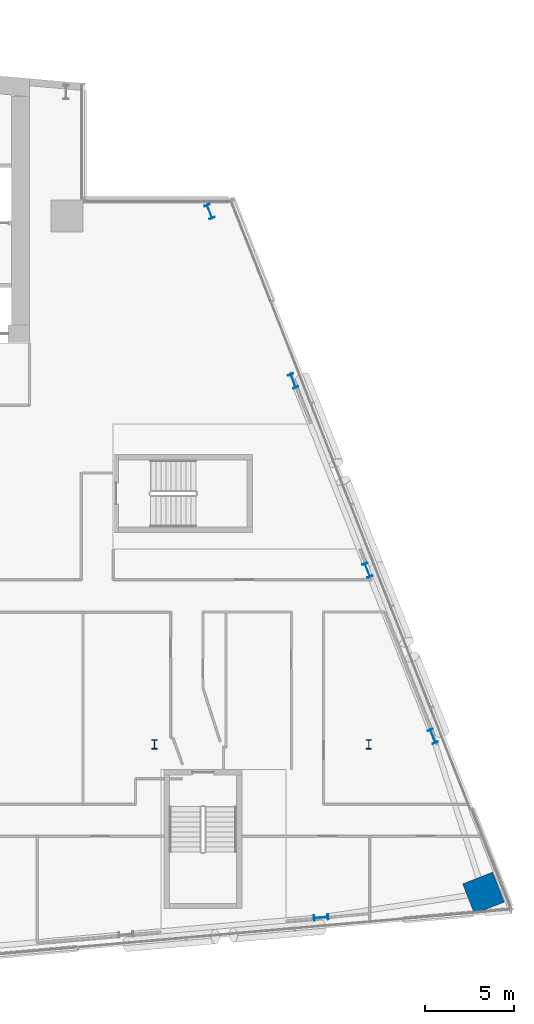
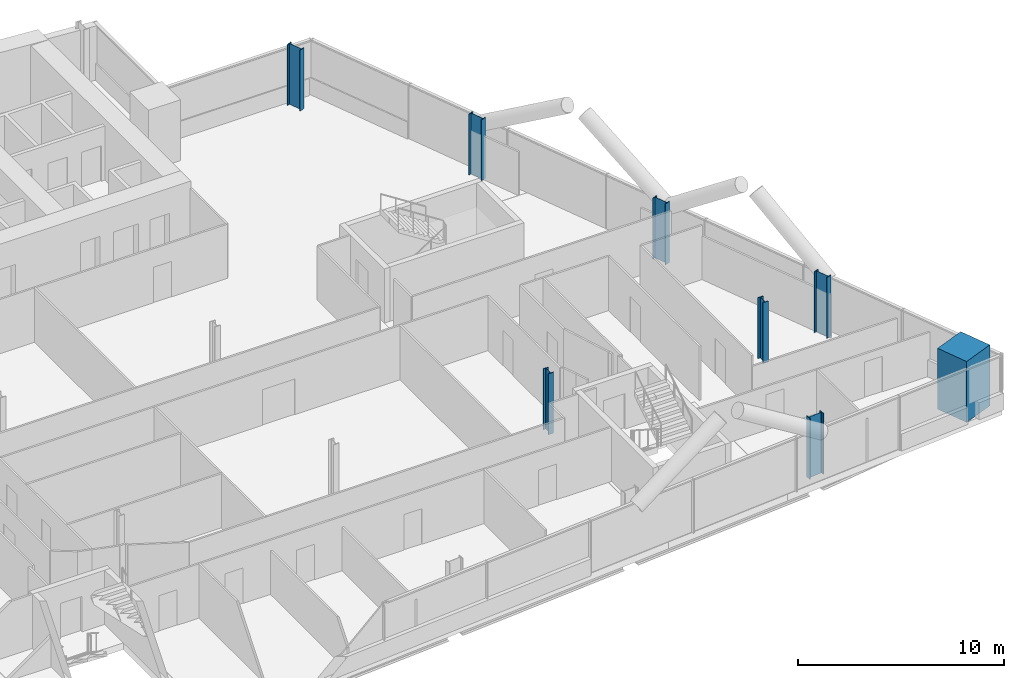
# One storey, part 4 of 27: 8 columns.
"""IFC4 building model written with IfcOpenShell, lengths in metres."""

import ifcopenshell
import ifcopenshell.guid

model = None  # the IFC model being written
_history = None  # IfcOwnerHistory: only IFC2X3 demands one
_inside = {}  # id of a spatial element -> (the spatial element, [elements in it])
_under = {}  # id of a project, library or spatial element -> (it, [spatial elements below it])
_declared = {}  # id of a project -> (the project, [libraries it declares])
_typed = {}  # id of a type object -> (the type object, [elements of that type])
_made_of = {}  # id of a material, layer set ... -> (it, [elements and type objects made of it])


def new_model(schema):
    """Start an empty IFC model of exactly this schema.

    Asked for "IFC4X3", IfcOpenShell would pick the latest addendum, in which some entities
    have other attributes; the version numbers below select the first issue.
    IFC2X3 requires an IfcOwnerHistory on every rooted entity: one is made here for all.
    """
    global model, _history
    if schema == "IFC4X3":
        model = ifcopenshell.file(schema_version=(4, 3, 0, 0))
    else:
        model = ifcopenshell.file(schema=schema)
    _inside.clear()
    _under.clear()
    _declared.clear()
    _typed.clear()
    _made_of.clear()
    _history = None
    if model.schema == "IFC2X3":
        org = make("IfcOrganization", Name="unknown")
        user = make(
            "IfcPersonAndOrganization",
            ThePerson=make("IfcPerson", FamilyName="unknown"),
            TheOrganization=org,
        )
        app = make(
            "IfcApplication",
            ApplicationDeveloper=org,
            Version="unknown",
            ApplicationFullName="unknown",
            ApplicationIdentifier="unknown",
        )
        _history = make(
            "IfcOwnerHistory",
            OwningUser=user,
            OwningApplication=app,
            ChangeAction="ADDED",
            CreationDate=0,
        )
    return model


def make(cls, **values):
    """One entity of the class cls with the attributes given. An attribute that is None is left unset."""
    return model.create_entity(
        cls, **{name: value for name, value in values.items() if value is not None}
    )


def rooted(cls, **values):
    """An entity with a GlobalId (a new one), such as an element, a storey or a relation."""
    return make(cls, GlobalId=ifcopenshell.guid.new(), OwnerHistory=_history, **values)


def si_unit(unit_type, name, prefix=None):
    """IfcSIUnit, for example si_unit("LENGTHUNIT", "METRE", prefix="MILLI")."""
    return make("IfcSIUnit", UnitType=unit_type, Prefix=prefix, Name=name)


def assignment(units):
    """IfcUnitAssignment: the units of a project."""
    return None if units is None else make("IfcUnitAssignment", Units=units)


def point(xyz):
    """IfcCartesianPoint."""
    return None if xyz is None else make("IfcCartesianPoint", Coordinates=xyz)


def direction(xyz):
    """IfcDirection."""
    return None if xyz is None else make("IfcDirection", DirectionRatios=xyz)


def frame(location, z_axis=None, x_axis=None):
    """IfcAxis2Placement3D, a coordinate frame: its origin and axes. An axis left out is left unset."""
    return make(
        "IfcAxis2Placement3D",
        Location=point(location),
        Axis=direction(z_axis),
        RefDirection=direction(x_axis),
    )


def frame_2d(location, x_axis=None):
    """IfcAxis2Placement2D, a coordinate frame in the plane: its origin and x axis."""
    return make(
        "IfcAxis2Placement2D", Location=point(location), RefDirection=direction(x_axis)
    )


def origin():
    """The frame at (0, 0, 0) with its axes left unset."""
    return frame((0.0, 0.0, 0.0))


def origin_2d():
    """The frame at (0, 0) in the plane with its x axis left unset."""
    return frame_2d((0.0, 0.0))


def place(relative_to, where):
    """IfcLocalPlacement: puts the frame where relative to a parent placement (None: the world)."""
    return make(
        "IfcLocalPlacement", PlacementRelTo=relative_to, RelativePlacement=where
    )


def context(
    kind, dimensions, precision=None, world=None, true_north=None, identifier=None
):
    """IfcGeometricRepresentationContext, for example the 3D "Model" context."""
    return make(
        "IfcGeometricRepresentationContext",
        ContextIdentifier=identifier,
        ContextType=kind,
        CoordinateSpaceDimension=dimensions,
        Precision=precision,
        WorldCoordinateSystem=world,
        TrueNorth=true_north,
    )


def subcontext(parent, identifier, kind, view, scale=None):
    """IfcGeometricRepresentationSubContext, for example "Body" below "Model"."""
    return make(
        "IfcGeometricRepresentationSubContext",
        ContextIdentifier=identifier,
        ContextType=kind,
        ParentContext=parent,
        TargetScale=scale,
        TargetView=view,
    )


def project(units=None, contexts=None):
    """IfcProject with its units and contexts."""
    return rooted(
        "IfcProject",
        Name="project",
        RepresentationContexts=contexts,
        UnitsInContext=assignment(units),
    )


def spatial(cls, under=None, at=None, **own):
    """A site, building, storey or space (cls), placed at a placement, below another one or the project."""
    s = rooted(cls, ObjectPlacement=at, **own)
    if under is not None:
        _under.setdefault(under.id(), (under, []))[1].append(s)
    return s


def profile(cls, at=None, kind="AREA", **sizes):
    """A parametric profile (cls). Its sizes go by their IFC names, for example OverallWidth=200.0."""
    return make(cls, ProfileType=kind, Position=at, **sizes)


def rectangle(**sizes):
    """IfcRectangleProfileDef."""
    return profile("IfcRectangleProfileDef", **sizes)


def i_section(**sizes):
    """IfcIShapeProfileDef."""
    return profile("IfcIShapeProfileDef", **sizes)


def extrude(swept, where, along, depth):
    """IfcExtrudedAreaSolid: the profile swept, set in the frame where, extruded along a direction by depth."""
    return make(
        "IfcExtrudedAreaSolid",
        SweptArea=swept,
        Position=where,
        ExtrudedDirection=direction(along),
        Depth=depth,
    )


def shape(context_of_items, identifier, shape_type, items):
    """IfcShapeRepresentation: the items that make up one representation, for example the "Body"."""
    return make(
        "IfcShapeRepresentation",
        ContextOfItems=context_of_items,
        RepresentationIdentifier=identifier,
        RepresentationType=shape_type,
        Items=items,
    )


def material(Name=None, Category=None):
    """IfcMaterial."""
    return make("IfcMaterial", Name=Name, Category=Category)


def material_profile(
    of_material, cross_section, Name=None, Category=None, Priority=None
):
    """IfcMaterialProfile: a cross section and its material."""
    return make(
        "IfcMaterialProfile",
        Name=Name,
        Material=of_material,
        Profile=cross_section,
        Priority=Priority,
        Category=Category,
    )


def profile_set(profiles, Name=None, composite=None):
    """IfcMaterialProfileSet."""
    return make(
        "IfcMaterialProfileSet",
        Name=Name,
        MaterialProfiles=profiles,
        CompositeProfile=composite,
    )


def made_of(thing, what):
    """Note that an element or type object is made of a material, layer set ...; save() writes the relation."""
    if what is not None:
        _made_of.setdefault(what.id(), (what, []))[1].append(thing)
    return thing


def type_object(cls, material=None, **own):
    """A type object (cls), such as IfcWallType, which elements share."""
    return made_of(rooted(cls, **own), material)


def element(
    cls,
    number,
    at=None,
    inside=None,
    cuts=None,
    type_object=None,
    material=None,
    context=None,
    identifier="Body",
    shape_type=None,
    held_by="IfcProductDefinitionShape",
    body=None,
    shapes=None,
    **own,
):
    """One element of the class cls, such as IfcWall. Its Tag is "e" and its number.

    at: its placement. inside: the storey or other place that contains it. cuts: it is an
    opening in that element (IfcRelVoidsElement). A single representation is given by context,
    identifier, shape_type and body (its items); several are given by shapes. held_by: the class
    of the entity that holds the representations. save() writes the other relations.
    """
    e = rooted(cls, Tag="e%d" % number, ObjectPlacement=at, **own)
    if body is not None:
        shapes = [shape(context, identifier, shape_type, body)]
    if shapes is not None:
        e.Representation = make(held_by, Representations=shapes)
    if inside is not None:
        _inside.setdefault(inside.id(), (inside, []))[1].append(e)
    if cuts is not None:
        rooted(
            "IfcRelVoidsElement", RelatingBuildingElement=cuts, RelatedOpeningElement=e
        )
    if type_object is not None:
        _typed.setdefault(type_object.id(), (type_object, []))[1].append(e)
    return made_of(e, material)


def aggregate(whole, parts):
    """IfcRelAggregates: a whole, such as a stair, and the parts it consists of."""
    return rooted("IfcRelAggregates", RelatingObject=whole, RelatedObjects=parts)


def save(model, path):
    """Write the relations noted so far, then the file.

    IfcRelAggregates (storeys below a building ...), IfcRelContainedInSpatialStructure (elements
    in a storey), IfcRelDefinesByType, IfcRelAssociatesMaterial and IfcRelDeclares: one each for
    every whole, place, type object, material and project.
    """
    for whole, parts in _under.values():
        aggregate(whole, parts)
    for where, things in _inside.values():
        rooted(
            "IfcRelContainedInSpatialStructure",
            RelatedElements=things,
            RelatingStructure=where,
        )
    for kind, things in _typed.values():
        rooted("IfcRelDefinesByType", RelatedObjects=things, RelatingType=kind)
    for what, things in _made_of.values():
        rooted("IfcRelAssociatesMaterial", RelatedObjects=things, RelatingMaterial=what)
    for by, libraries in _declared.values():
        rooted("IfcRelDeclares", RelatingContext=by, RelatedDefinitions=libraries)
    model.write(path)


model = new_model("IFC4")

# Units and contexts
model_context = context("Model", 3, precision=1e-05, world=origin(), true_north=direction((0.0, 1.0)))
body_context = subcontext(model_context, "Body", "Model", "MODEL_VIEW")
ifc_project = project(units=[si_unit("LENGTHUNIT", "METRE"), si_unit("AREAUNIT", "SQUARE_METRE"), si_unit("VOLUMEUNIT", "CUBIC_METRE"), si_unit("PLANEANGLEUNIT", "RADIAN"), si_unit("MASSUNIT", "GRAM", prefix="KILO")], contexts=[model_context])

# Site, building, storey
site_placement = place(None, origin())
site = spatial("IfcSite", under=ifc_project, at=site_placement, CompositionType="ELEMENT")
building_placement = place(site_placement, origin())
building = spatial("IfcBuilding", under=site, at=building_placement, Name="Wharfspan Tower", CompositionType="ELEMENT")
storey_placement = place(building_placement, frame((0.0, 0.0, 136.300049)))
storey = spatial("IfcBuildingStorey", under=building, at=storey_placement, Name="L32", CompositionType="ELEMENT", Elevation=136.300049)

# Columns
ifc_material_1 = material(Name="Steel S355J2", Category="steel")
ifc_material_profile_1 = material_profile(ifc_material_1, i_section(OverallWidth=0.305908, OverallDepth=0.523926, WebThickness=0.020996, FlangeThickness=0.040039, FilletRadius=0.0271, at=origin_2d()))
ifc_profile_set_1 = profile_set([ifc_material_profile_1], Name="Steel S355J2")
column_type_1 = type_object("IfcColumnType", Name="Column HEM 500", PredefinedType="COLUMN", material=ifc_profile_set_1)
for number, where, z_axis, x_axis, name in (
    (1, (72.0, 11.5, 0.0), (0.0, 0.0, 1.0), (1.0, 0.0, 0.0), "Interior column I.1.6 L32"),
    (2, (84.0, 11.5, 0.0), (0.0, 0.0, 1.0), (1.0, 0.0, 0.0), "Interior column I.1.7 L32"),
):
    element("IfcColumn", number, at=place(storey_placement, frame(where, z_axis=z_axis, x_axis=x_axis)), inside=storey, type_object=column_type_1, Name=name, PredefinedType="COLUMN", context=body_context, shape_type="SweptSolid", body=[
        extrude(i_section(OverallWidth=0.305908, OverallDepth=0.523926, WebThickness=0.020996, FlangeThickness=0.040039, FilletRadius=0.0271, at=origin_2d()), origin(), (0.0, 0.0, 1.0), 3.599854),
    ])
ifc_material_profile_2 = material_profile(ifc_material_1, i_section(OverallWidth=0.302979, OverallDepth=0.813965, WebThickness=0.020996, FlangeThickness=0.040039, FilletRadius=0.030029, at=origin_2d()))
ifc_profile_set_2 = profile_set([ifc_material_profile_2], Name="Steel S355J2")
column_type_2 = type_object("IfcColumnType", Name="Column HEM 800", PredefinedType="COLUMN", material=ifc_profile_set_2)
for number, where, z_axis, x_axis, name in (
    (3, (81.327881, 1.80835, 0.0), (0.0, 0.0, 1.0), (0.087156, -0.996198, 0.0), "Perimeter column PS2.3 L32"),
    (4, (87.586914, 11.952393, 0.0), (0.0, 0.0, 1.0), (0.930702, 0.365778, 0.0), "Perimeter column PE.1 L32"),
    (5, (83.932617, 21.250977, 0.0), (0.0, 0.0, 1.0), (0.930702, 0.365778, 0.0), "Perimeter column PE.2 L32"),
    (6, (79.765869, 31.852539, 0.0), (0.0, 0.0, 1.0), (0.930702, 0.365778, 0.0), "Perimeter column PE.3 L32"),
    (7, (75.084961, 41.337646, 0.0), (0.0, 0.0, 1.0), (0.930702, 0.365778, 0.0), "Perimeter column PE.4 L32"),
):
    element("IfcColumn", number, at=place(storey_placement, frame(where, z_axis=z_axis, x_axis=x_axis)), inside=storey, type_object=column_type_2, Name=name, PredefinedType="COLUMN", context=body_context, shape_type="SweptSolid", body=[
        extrude(i_section(OverallWidth=0.302979, OverallDepth=0.813965, WebThickness=0.020996, FlangeThickness=0.040039, FilletRadius=0.030029, at=origin_2d()), origin(), (0.0, 0.0, 1.0), 3.599854),
    ])
ifc_material_2 = material(Name="Concrete C70/85", Category="concrete")
ifc_material_profile_3 = material_profile(ifc_material_2, rectangle(XDim=1.800049, YDim=1.800049, at=origin_2d()))
ifc_profile_set_3 = profile_set([ifc_material_profile_3], Name="Concrete C70/85")
column_type_3 = type_object("IfcColumnType", Name="Mega column 1800 C70/85", PredefinedType="COLUMN", material=ifc_profile_set_3)
column_placement = place(storey_placement, frame((90.427246, 3.174072, 0.0), z_axis=(0.0, 0.0, 1.0), x_axis=(-0.365778, 0.930702, 0.0)))
element("IfcColumn", 8, at=column_placement, inside=storey, type_object=column_type_3, Name="Mega column MC4 L32", PredefinedType="COLUMN", context=body_context, shape_type="SweptSolid", body=[
    extrude(rectangle(XDim=1.800049, YDim=1.800049, at=origin_2d()), origin(), (0.0, 0.0, 1.0), 3.599854),
])

save(model, "model.ifc")
